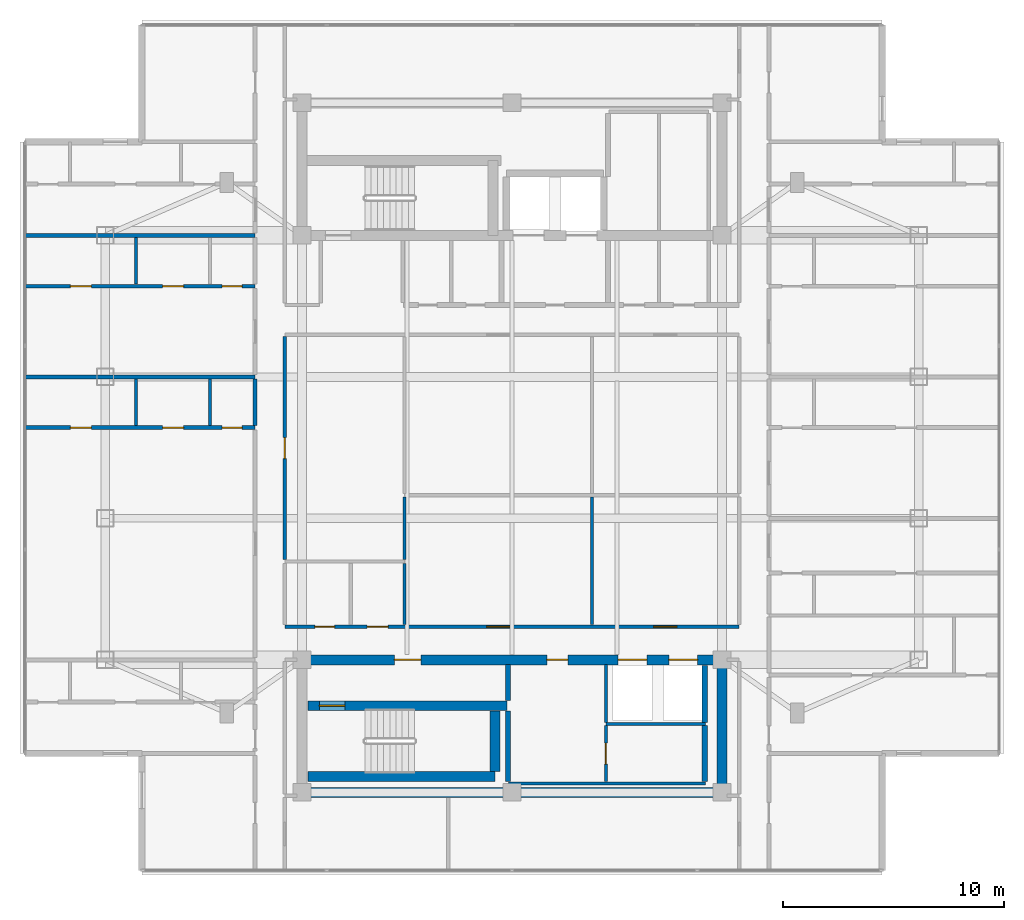
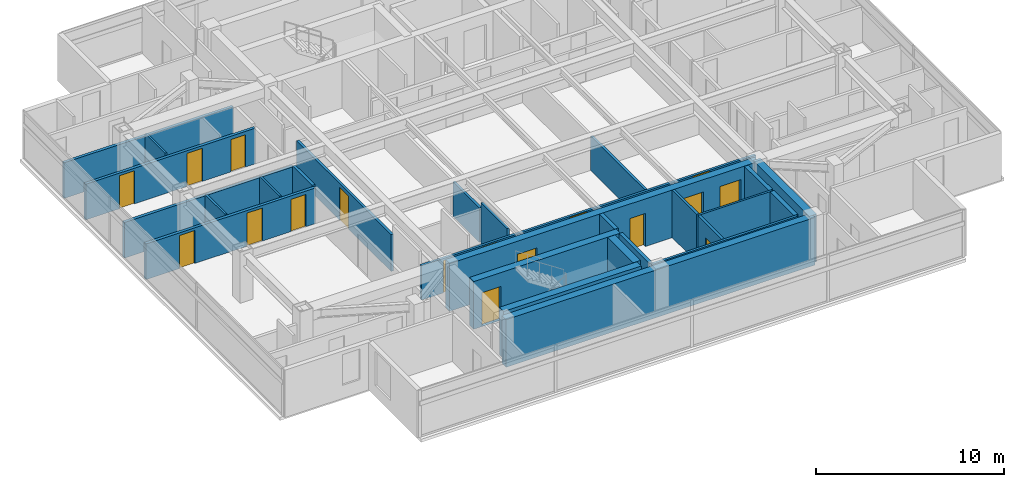
# One storey, part 8 of 14: 27 walls, 17 doors, 17 openings.
"""IFC4 building model written with IfcOpenShell, lengths in metres."""

from ifc_helpers import new_model, si_unit, direction, frame, frame_2d, origin, place, context, subcontext, project, spatial, rectangle, extrude, material, layer, layer_set, type_object, element, fill, save


model = new_model("IFC4")

# Units and contexts
model_context = context("Model", 3, precision=1e-05, world=origin(), true_north=direction((0.0, 1.0)))
body_context = subcontext(model_context, "Body", "Model", "MODEL_VIEW")
ifc_project = project(units=[si_unit("LENGTHUNIT", "METRE"), si_unit("AREAUNIT", "SQUARE_METRE"), si_unit("VOLUMEUNIT", "CUBIC_METRE"), si_unit("PLANEANGLEUNIT", "RADIAN"), si_unit("MASSUNIT", "GRAM", prefix="KILO")], contexts=[model_context])

# Site, building, storey
site_placement = place(None, origin())
site = spatial("IfcSite", under=ifc_project, at=site_placement, CompositionType="ELEMENT")
building_placement = place(site_placement, origin())
building = spatial("IfcBuilding", under=site, at=building_placement, Name="Mirazonda Arch Towers", CompositionType="ELEMENT")
storey_placement = place(building_placement, frame((0.0, 0.0, 242.5)))
storey = spatial("IfcBuildingStorey", under=building, at=storey_placement, Name="L69", CompositionType="ELEMENT", Elevation=242.5)

# Walls
ifc_material_1 = material(Name="Concrete C50/60", Category="concrete")
ifc_layer_1 = layer(ifc_material_1, 0.449951171875, Name="WALL-CORE-450")
ifc_layer_set_1 = layer_set([ifc_layer_1], Name="Concrete C50/60")
wall_type_1 = type_object("IfcWallType", Name="WALL-CORE-450", PredefinedType="SHEAR", material=ifc_layer_set_1)
wall_1_placement = place(storey_placement, frame((11.0, 12.39990234375, 0.0), z_axis=(0.0, 0.0, 1.0), x_axis=(1.0, 0.0, 0.0)))
element("IfcWall", 1, at=wall_1_placement, inside=storey, type_object=wall_type_1, Name="L69 T1S-S Core Shear Wall", PredefinedType="SHEAR", context=body_context, shape_type="SweptSolid", body=[
    extrude(rectangle(XDim=19.0, YDim=0.449951171875, at=frame_2d((9.5, 0.0))), origin(), (0.0, 0.0, 1.0), 3.10009765625),
])
wall_2_placement = place(storey_placement, frame((30.0, 12.39990234375, 0.0), z_axis=(0.0, 0.0, 1.0), x_axis=(0.0, 1.0, 0.0)))
element("IfcWall", 2, at=wall_2_placement, inside=storey, type_object=wall_type_1, Name="L69 T1S-E Core Shear Wall", PredefinedType="SHEAR", context=body_context, shape_type="SweptSolid", body=[
    extrude(rectangle(XDim=6.0, YDim=0.449951171875, at=frame_2d((3.0, 0.0))), origin(), (0.0, 0.0, 1.0), 3.10009765625),
])

# Wall, openings, doors
wall_3_placement = place(storey_placement, frame((11.0, 18.39990234375, 0.0), z_axis=(0.0, 0.0, 1.0), x_axis=(1.0, 0.0, 0.0)))
wall_3 = element("IfcWall", 3, at=wall_3_placement, inside=storey, type_object=wall_type_1, Name="L69 T1S-N Core Shear Wall", PredefinedType="SHEAR", context=body_context, shape_type="SweptSolid", body=[
    extrude(rectangle(XDim=19.0, YDim=0.449951171875, at=frame_2d((9.5, 0.0))), origin(), (0.0, 0.0, 1.0), 3.10009765625),
])
opening_1_placement = place(wall_3_placement, frame((4.175048828125, 0.0, 0.0)))
opening_1 = element("IfcOpeningElement", 4, at=opening_1_placement, cuts=wall_3, Name="Opening DR-117", PredefinedType="OPENING", context=body_context, shape_type="SweptSolid", body=[
    extrude(rectangle(XDim=1.199951171875, YDim=2.25, at=frame_2d((0.60009765625, 1.125))), frame((0.0, 0.23486328125, 0.0), z_axis=(0.0, -1.0, 0.0), x_axis=(1.0, 0.0, 0.0)), (0.0, 0.0, 1.0), 0.469970703125),
])
opening_2_placement = place(wall_3_placement, frame((11.074951171875, 0.0, 0.0)))
opening_2 = element("IfcOpeningElement", 5, at=opening_2_placement, cuts=wall_3, Name="Opening DR-104", PredefinedType="OPENING", context=body_context, shape_type="SweptSolid", body=[
    extrude(rectangle(XDim=0.949951171875, YDim=2.14990234375, at=frame_2d((0.47509765625, 1.074951171875))), frame((0.0, 0.23486328125, 0.0), z_axis=(0.0, -1.0, 0.0), x_axis=(1.0, 0.0, 0.0)), (0.0, 0.0, 1.0), 0.469970703125),
])
opening_3_placement = place(wall_3_placement, frame((14.300048828125, 0.0, 0.0)))
opening_3 = element("IfcOpeningElement", 6, at=opening_3_placement, cuts=wall_3, Name="Opening LD-111", PredefinedType="OPENING", context=body_context, shape_type="SweptSolid", body=[
    extrude(rectangle(XDim=1.300048828125, YDim=2.300048828125, at=frame_2d((0.64990234375, 1.14990234375))), frame((0.0, 0.23486328125, 0.0), z_axis=(0.0, -1.0, 0.0), x_axis=(1.0, 0.0, 0.0)), (0.0, 0.0, 1.0), 0.469970703125),
])
opening_4_placement = place(wall_3_placement, frame((16.60009765625, 0.0, 0.0)))
opening_4 = element("IfcOpeningElement", 7, at=opening_4_placement, cuts=wall_3, Name="Opening LD-111", PredefinedType="OPENING", context=body_context, shape_type="SweptSolid", body=[
    extrude(rectangle(XDim=1.300048828125, YDim=2.300048828125, at=frame_2d((0.64990234375, 1.14990234375))), frame((0.0, 0.23486328125, 0.0), z_axis=(0.0, -1.0, 0.0), x_axis=(1.0, 0.0, 0.0)), (0.0, 0.0, 1.0), 0.469970703125),
])
ifc_material_2 = material(Name="Architectural Brushed Steel S355", Category="steel")
door_type_1 = type_object("IfcDoorType", Name="DOOR-FFL-FD90-1200", OperationType="NOTDEFINED", PredefinedType="DOOR", material=ifc_material_2)
door_1_placement = place(opening_1_placement, origin())
door_1 = element("IfcDoor", 8, at=door_1_placement, inside=storey, type_object=door_type_1, Name="L69 South Core Stair & Lift Lobby Door", OperationType="SINGLE_SWING_LEFT", OverallHeight=2.25, OverallWidth=1.199951171875, PredefinedType="DOOR", context=body_context, shape_type="SweptSolid", body=[
    extrude(rectangle(XDim=1.199951171875, YDim=2.25, at=frame_2d((0.60009765625, 1.125))), frame((0.0, 0.02490234375, 0.0), z_axis=(0.0, -1.0, 0.0), x_axis=(1.0, 0.0, 0.0)), (0.0, 0.0, 1.0), 0.050048828125),
])
fill(opening_1, door_1)
door_type_2 = type_object("IfcDoorType", Name="DOOR-LIFT-LAND-1300", OperationType="NOTDEFINED", PredefinedType="DOOR", material=ifc_material_2)
door_2_placement = place(opening_3_placement, origin())
door_2 = element("IfcDoor", 9, at=door_2_placement, inside=storey, type_object=door_type_2, Name="L69 Lift Landing Sliding Door PL-T1H1", OperationType="DOUBLE_DOOR_SLIDING", OverallHeight=2.300048828125, OverallWidth=1.300048828125, PredefinedType="DOOR", context=body_context, shape_type="SweptSolid", body=[
    extrude(rectangle(XDim=1.300048828125, YDim=2.300048828125, at=frame_2d((0.64990234375, 1.14990234375))), frame((0.0, 0.02490234375, 0.0), z_axis=(0.0, -1.0, 0.0), x_axis=(1.0, 0.0, 0.0)), (0.0, 0.0, 1.0), 0.050048828125),
])
fill(opening_3, door_2)
door_3_placement = place(opening_4_placement, origin())
door_3 = element("IfcDoor", 10, at=door_3_placement, inside=storey, type_object=door_type_2, Name="L69 Lift Landing Sliding Door PL-T1H2", OperationType="DOUBLE_DOOR_SLIDING", OverallHeight=2.300048828125, OverallWidth=1.300048828125, PredefinedType="DOOR", context=body_context, shape_type="SweptSolid", body=[
    extrude(rectangle(XDim=1.300048828125, YDim=2.300048828125, at=frame_2d((0.64990234375, 1.14990234375))), frame((0.0, 0.02490234375, 0.0), z_axis=(0.0, -1.0, 0.0), x_axis=(1.0, 0.0, 0.0)), (0.0, 0.0, 1.0), 0.050048828125),
])
fill(opening_4, door_3)
door_type_3 = type_object("IfcDoorType", Name="DOOR-ROOM-950", OperationType="NOTDEFINED", PredefinedType="DOOR", material=ifc_material_2)
door_4_placement = place(opening_2_placement, origin())
door_4 = element("IfcDoor", 11, at=door_4_placement, inside=storey, type_object=door_type_3, Name="L69 Residents Wine Tasting Lounge Door", OperationType="SINGLE_SWING_LEFT", OverallHeight=2.14990234375, OverallWidth=0.949951171875, PredefinedType="DOOR", context=body_context, shape_type="SweptSolid", body=[
    extrude(rectangle(XDim=0.949951171875, YDim=2.14990234375, at=frame_2d((0.47509765625, 1.074951171875))), frame((0.0, 0.02490234375, 0.0), z_axis=(0.0, -1.0, 0.0), x_axis=(1.0, 0.0, 0.0)), (0.0, 0.0, 1.0), 0.050048828125),
])
fill(opening_2, door_4)

# Wall
wall_4_placement = place(storey_placement, frame((11.27001953125, 13.1201171875, 0.0), z_axis=(0.0, 0.0, 1.0), x_axis=(1.0, 0.0, 0.0)))
element("IfcWall", 12, at=wall_4_placement, inside=storey, type_object=wall_type_1, Name="L69 Stair Core Shear Wall 004", PredefinedType="SHEAR", context=body_context, shape_type="SweptSolid", body=[
    extrude(rectangle(XDim=8.4599609375, YDim=0.449951171875, at=frame_2d((4.22998046875, 0.0))), origin(), (0.0, 0.0, 1.0), 3.10009765625),
])

# Wall, opening, door
wall_5_placement = place(storey_placement, frame((11.27001953125, 16.320068359375, 0.0), z_axis=(0.0, 0.0, 1.0), x_axis=(1.0, 0.0, 0.0)))
wall_5 = element("IfcWall", 13, at=wall_5_placement, inside=storey, type_object=wall_type_1, Name="L69 Stair Core Shear Wall 008", PredefinedType="SHEAR", context=body_context, shape_type="SweptSolid", body=[
    extrude(rectangle(XDim=9.010009765625, YDim=0.449951171875, at=frame_2d((4.5048828125, 0.0))), origin(), (0.0, 0.0, 1.0), 3.10009765625),
])
opening_5_placement = place(wall_5_placement, frame((0.52001953125, 0.0, 0.0)))
opening_5 = element("IfcOpeningElement", 14, at=opening_5_placement, cuts=wall_5, Name="Opening DR-135", PredefinedType="OPENING", context=body_context, shape_type="SweptSolid", body=[
    extrude(rectangle(XDim=1.14990234375, YDim=2.199951171875, at=frame_2d((0.574951171875, 1.10009765625))), frame((0.0, 0.23486328125, 0.0), z_axis=(0.0, -1.0, 0.0), x_axis=(1.0, 0.0, 0.0)), (0.0, 0.0, 1.0), 0.469970703125),
])
door_type_4 = type_object("IfcDoorType", Name="DOOR-STAIR-FD90-1150", OperationType="NOTDEFINED", PredefinedType="DOOR", material=ifc_material_2)
door_5_placement = place(opening_5_placement, origin())
door_5 = element("IfcDoor", 15, at=door_5_placement, inside=storey, type_object=door_type_4, Name="L69 Protected Exit Stair South Door", OperationType="SINGLE_SWING_RIGHT", OverallHeight=2.199951171875, OverallWidth=1.14990234375, PredefinedType="DOOR", context=body_context, shape_type="SweptSolid", body=[
    extrude(rectangle(XDim=1.14990234375, YDim=2.199951171875, at=frame_2d((0.574951171875, 1.10009765625))), frame((0.0, 0.02490234375, 0.0), z_axis=(0.0, -1.0, 0.0), x_axis=(1.0, 0.0, 0.0)), (0.0, 0.0, 1.0), 0.050048828125),
])
fill(opening_5, door_5)

# Walls
wall_6_placement = place(storey_placement, frame((19.72998046875, 13.35498046875, 0.0), z_axis=(0.0, 0.0, 1.0), x_axis=(0.0, 1.0, 0.0)))
element("IfcWall", 16, at=wall_6_placement, inside=storey, type_object=wall_type_1, Name="L69 Stair Core Shear Wall 071", PredefinedType="SHEAR", context=body_context, shape_type="SweptSolid", body=[
    extrude(rectangle(XDim=2.72998046875, YDim=0.449951171875, at=frame_2d((1.364990234375, 0.0))), origin(), (0.0, 0.0, 1.0), 3.10009765625),
])
ifc_material_3 = material(Name="Concrete C40/50", Category="concrete")
ifc_layer_2 = layer(ifc_material_3, 0.219970703125, Name="WALL-FFL-220")
ifc_layer_set_2 = layer_set([ifc_layer_2], Name="Concrete C40/50")
wall_type_2 = type_object("IfcWallType", Name="WALL-FFL-220", PredefinedType="SOLIDWALL", material=ifc_layer_set_2)
wall_7_placement = place(storey_placement, frame((20.31494140625, 12.885009765625, 0.0), z_axis=(0.0, 0.0, 1.0), x_axis=(0.0, 1.0, 0.0)))
element("IfcWall", 17, at=wall_7_placement, inside=storey, type_object=wall_type_2, Name="L69 Interior Partition 073", PredefinedType="SOLIDWALL", context=body_context, shape_type="SweptSolid", body=[
    extrude(rectangle(XDim=3.199951171875, YDim=0.219970703125, at=frame_2d((1.60009765625, 0.0))), origin(), (0.0, 0.0, 1.0), 3.10009765625),
])
wall_8_placement = place(storey_placement, frame((20.31494140625, 16.554931640625, 0.0), z_axis=(0.0, 0.0, 1.0), x_axis=(0.0, 1.0, 0.0)))
element("IfcWall", 18, at=wall_8_placement, inside=storey, type_object=wall_type_2, Name="L69 Interior Partition 074", PredefinedType="SOLIDWALL", context=body_context, shape_type="SweptSolid", body=[
    extrude(rectangle(XDim=1.625, YDim=0.219970703125, at=frame_2d((0.8125, 0.0))), origin(), (0.0, 0.0, 1.0), 3.10009765625),
])
ifc_material_4 = material(Name="Fire-Rated Gypsum Stud Partition")
ifc_layer_3 = layer(ifc_material_4, 0.14990234375, Name="WALL-PART-CORR-150")
ifc_layer_set_3 = layer_set([ifc_layer_3], Name="Fire-Rated Gypsum Stud Partition")
wall_type_3 = type_object("IfcWallType", Name="WALL-PART-CORR-150", PredefinedType="PARTITIONING", material=ifc_layer_set_3)
wall_9_placement = place(storey_placement, frame((20.35009765625, 12.800048828125, 0.0), z_axis=(0.0, 0.0, 1.0), x_axis=(1.0, 0.0, 0.0)))
element("IfcWall", 19, at=wall_9_placement, inside=storey, type_object=wall_type_3, Name="L69 Interior Partition 003", PredefinedType="PARTITIONING", context=body_context, shape_type="SweptSolid", body=[
    extrude(rectangle(XDim=8.89990234375, YDim=0.14990234375, at=frame_2d((4.449951171875, 0.0))), origin(), (0.0, 0.0, 1.0), 3.10009765625),
])

# Wall, openings, doors
wall_10_placement = place(storey_placement, frame((10.219970703125, 19.89990234375, 0.0), z_axis=(0.0, 0.0, 1.0), x_axis=(1.0, 0.0, 0.0)))
wall_10 = element("IfcWall", 20, at=wall_10_placement, inside=storey, type_object=wall_type_3, Name="L69 Interior Partition 014", PredefinedType="PARTITIONING", context=body_context, shape_type="SweptSolid", body=[
    extrude(rectangle(XDim=20.56005859375, YDim=0.14990234375, at=frame_2d((10.280029296875, 0.0))), origin(), (0.0, 0.0, 1.0), 2.236083984375),
])
opening_6_placement = place(wall_10_placement, frame((1.360107421875, 0.0, 0.0)))
opening_6 = element("IfcOpeningElement", 21, at=opening_6_placement, cuts=wall_10, Name="Opening DR-120", PredefinedType="OPENING", context=body_context, shape_type="SweptSolid", body=[
    extrude(rectangle(XDim=0.89990234375, YDim=2.10009765625, at=frame_2d((0.449951171875, 1.050048828125))), frame((0.0, 0.0849609375, 0.0), z_axis=(0.0, -1.0, 0.0), x_axis=(1.0, 0.0, 0.0)), (0.0, 0.0, 1.0), 0.169921875),
])
opening_7_placement = place(wall_10_placement, frame((3.72509765625, 0.0, 0.0)))
opening_7 = element("IfcOpeningElement", 22, at=opening_7_placement, cuts=wall_10, Name="Opening DR-104", PredefinedType="OPENING", context=body_context, shape_type="SweptSolid", body=[
    extrude(rectangle(XDim=0.949951171875, YDim=2.14990234375, at=frame_2d((0.47509765625, 1.074951171875))), frame((0.0, 0.0849609375, 0.0), z_axis=(0.0, -1.0, 0.0), x_axis=(1.0, 0.0, 0.0)), (0.0, 0.0, 1.0), 0.169921875),
])
opening_8_placement = place(wall_10_placement, frame((9.134033203125, 0.0, 0.0)))
opening_8 = element("IfcOpeningElement", 23, at=opening_8_placement, cuts=wall_10, Name="Opening DR-121", PredefinedType="OPENING", context=body_context, shape_type="SweptSolid", body=[
    extrude(rectangle(XDim=1.050048828125, YDim=2.199951171875, at=frame_2d((0.52490234375, 1.10009765625))), frame((0.0, 0.0849609375, 0.0), z_axis=(0.0, -1.0, 0.0), x_axis=(1.0, 0.0, 0.0)), (0.0, 0.0, 1.0), 0.169921875),
])
opening_9_placement = place(wall_10_placement, frame((16.68408203125, 0.0, 0.0)))
opening_9 = element("IfcOpeningElement", 24, at=opening_9_placement, cuts=wall_10, Name="Opening DR-121", PredefinedType="OPENING", context=body_context, shape_type="SweptSolid", body=[
    extrude(rectangle(XDim=1.050048828125, YDim=2.199951171875, at=frame_2d((0.52490234375, 1.10009765625))), frame((0.0, 0.0849609375, 0.0), z_axis=(0.0, -1.0, 0.0), x_axis=(1.0, 0.0, 0.0)), (0.0, 0.0, 1.0), 0.169921875),
])
door_6_placement = place(opening_7_placement, origin())
door_6 = element("IfcDoor", 25, at=door_6_placement, inside=storey, type_object=door_type_3, Name="L69 L69 West Courtyard Study Door", OperationType="SINGLE_SWING_LEFT", OverallHeight=2.14990234375, OverallWidth=0.949951171875, PredefinedType="DOOR", context=body_context, shape_type="SweptSolid", body=[
    extrude(rectangle(XDim=0.949951171875, YDim=2.14990234375, at=frame_2d((0.47509765625, 1.074951171875))), frame((0.0, 0.02490234375, 0.0), z_axis=(0.0, -1.0, 0.0), x_axis=(1.0, 0.0, 0.0)), (0.0, 0.0, 1.0), 0.050048828125),
])
fill(opening_7, door_6)
door_type_5 = type_object("IfcDoorType", Name="DOOR-SUITE-FD60-1050", OperationType="NOTDEFINED", PredefinedType="DOOR", material=ifc_material_2)
door_7_placement = place(opening_8_placement, origin())
door_7 = element("IfcDoor", 26, at=door_7_placement, inside=storey, type_object=door_type_5, Name="L69 Residents Private Library Door", OperationType="SINGLE_SWING_LEFT", OverallHeight=2.199951171875, OverallWidth=1.050048828125, PredefinedType="DOOR", context=body_context, shape_type="SweptSolid", body=[
    extrude(rectangle(XDim=1.050048828125, YDim=2.199951171875, at=frame_2d((0.52490234375, 1.10009765625))), frame((0.0, 0.02490234375, 0.0), z_axis=(0.0, -1.0, 0.0), x_axis=(1.0, 0.0, 0.0)), (0.0, 0.0, 1.0), 0.050048828125),
])
fill(opening_8, door_7)
door_8_placement = place(opening_9_placement, origin())
door_8 = element("IfcDoor", 27, at=door_8_placement, inside=storey, type_object=door_type_5, Name="L69 Chamber Music & Screening Salon Door", OperationType="SINGLE_SWING_RIGHT", OverallHeight=2.199951171875, OverallWidth=1.050048828125, PredefinedType="DOOR", context=body_context, shape_type="SweptSolid", body=[
    extrude(rectangle(XDim=1.050048828125, YDim=2.199951171875, at=frame_2d((0.52490234375, 1.10009765625))), frame((0.0, 0.02490234375, 0.0), z_axis=(0.0, -1.0, 0.0), x_axis=(1.0, 0.0, 0.0)), (0.0, 0.0, 1.0), 0.050048828125),
])
fill(opening_9, door_8)
door_type_6 = type_object("IfcDoorType", Name="DOOR-WC-900", OperationType="NOTDEFINED", PredefinedType="DOOR", material=ifc_material_2)
door_9_placement = place(opening_6_placement, origin())
door_9 = element("IfcDoor", 28, at=door_9_placement, inside=storey, type_object=door_type_6, Name="L69 Common Accessible WC Door", OperationType="SINGLE_SWING_LEFT", OverallHeight=2.10009765625, OverallWidth=0.89990234375, PredefinedType="DOOR", context=body_context, shape_type="SweptSolid", body=[
    extrude(rectangle(XDim=0.89990234375, YDim=2.10009765625, at=frame_2d((0.449951171875, 1.050048828125))), frame((0.0, 0.02490234375, 0.0), z_axis=(0.0, -1.0, 0.0), x_axis=(1.0, 0.0, 0.0)), (0.0, 0.0, 1.0), 0.050048828125),
])
fill(opening_6, door_9)

# Wall, opening, door
wall_11_placement = place(storey_placement, frame((10.219970703125, 22.93505859375, 0.0), z_axis=(0.0, 0.0, 1.0), x_axis=(0.0, 1.0, 0.0)))
wall_11 = element("IfcWall", 29, at=wall_11_placement, inside=storey, type_object=wall_type_3, Name="L69 Interior Partition 060", PredefinedType="PARTITIONING", context=body_context, shape_type="SweptSolid", body=[
    extrude(rectangle(XDim=10.079833984375, YDim=0.14990234375, at=frame_2d((5.0400390625, 0.0))), origin(), (0.0, 0.0, 1.0), 2.39599609375),
])
opening_10_placement = place(wall_11_placement, frame((4.56494140625, 0.0, 0.0)))
opening_10 = element("IfcOpeningElement", 30, at=opening_10_placement, cuts=wall_11, Name="Opening DR-104", PredefinedType="OPENING", context=body_context, shape_type="SweptSolid", body=[
    extrude(rectangle(XDim=0.949951171875, YDim=2.14990234375, at=frame_2d((0.47509765625, 1.074951171875))), frame((0.0, 0.0849609375, 0.0), z_axis=(0.0, -1.0, 0.0), x_axis=(1.0, 0.0, 0.0)), (0.0, 0.0, 1.0), 0.169921875),
])
door_10_placement = place(opening_10_placement, origin())
door_10 = element("IfcDoor", 31, at=door_10_placement, inside=storey, type_object=door_type_3, Name="L69 L69 West Courtyard Salon Door", OperationType="SINGLE_SWING_RIGHT", OverallHeight=2.14990234375, OverallWidth=0.949951171875, PredefinedType="DOOR", context=body_context, shape_type="SweptSolid", body=[
    extrude(rectangle(XDim=0.949951171875, YDim=2.14990234375, at=frame_2d((0.47509765625, 1.074951171875))), frame((0.0, 0.02490234375, 0.0), z_axis=(0.0, -1.0, 0.0), x_axis=(1.0, 0.0, 0.0)), (0.0, 0.0, 1.0), 0.050048828125),
])
fill(opening_10, door_10)

# Walls
wall_12_placement = place(storey_placement, frame((15.639892578125, 19.985107421875, 0.0), z_axis=(0.0, 0.0, 1.0), x_axis=(0.0, 1.0, 0.0)))
element("IfcWall", 32, at=wall_12_placement, inside=storey, type_object=wall_type_3, Name="L69 Interior Partition 065", PredefinedType="PARTITIONING", context=body_context, shape_type="SweptSolid", body=[
    extrude(rectangle(XDim=2.77978515625, YDim=0.14990234375, at=frame_2d((1.389892578125, 0.0))), origin(), (0.0, 0.0, 1.0), 2.675048828125),
])
wall_13_placement = place(storey_placement, frame((15.639892578125, 22.93505859375, 0.0), z_axis=(0.0, 0.0, 1.0), x_axis=(0.0, 1.0, 0.0)))
element("IfcWall", 33, at=wall_13_placement, inside=storey, type_object=wall_type_3, Name="L69 Interior Partition 066", PredefinedType="PARTITIONING", context=body_context, shape_type="SweptSolid", body=[
    extrude(rectangle(XDim=2.81982421875, YDim=0.14990234375, at=frame_2d((1.409912109375, 0.0))), origin(), (0.0, 0.0, 1.0), 2.236083984375),
])
wall_14_placement = place(storey_placement, frame((24.117919921875, 19.985107421875, 0.0), z_axis=(0.0, 0.0, 1.0), x_axis=(0.0, 1.0, 0.0)))
element("IfcWall", 34, at=wall_14_placement, inside=storey, type_object=wall_type_3, Name="L69 Interior Partition 076", PredefinedType="PARTITIONING", context=body_context, shape_type="SweptSolid", body=[
    extrude(rectangle(XDim=5.769775390625, YDim=0.14990234375, at=frame_2d((2.884765625, 0.0))), origin(), (0.0, 0.0, 1.0), 2.236083984375),
])

# Wall, opening, door
wall_15_placement = place(storey_placement, frame((24.75, 12.885009765625, 0.0), z_axis=(0.0, 0.0, 1.0), x_axis=(0.0, 1.0, 0.0)))
wall_15 = element("IfcWall", 35, at=wall_15_placement, inside=storey, type_object=wall_type_3, Name="L69 Interior Partition 078", PredefinedType="PARTITIONING", context=body_context, shape_type="SweptSolid", body=[
    extrude(rectangle(XDim=2.54248046875, YDim=0.14990234375, at=frame_2d((1.271240234375, 0.0))), origin(), (0.0, 0.0, 1.0), 3.10009765625),
])
opening_11_placement = place(wall_15_placement, frame((0.79638671875, 0.0, 0.0)))
opening_11 = element("IfcOpeningElement", 36, at=opening_11_placement, cuts=wall_15, Name="Opening DR-104", PredefinedType="OPENING", context=body_context, shape_type="SweptSolid", body=[
    extrude(rectangle(XDim=0.949951171875, YDim=2.14990234375, at=frame_2d((0.47509765625, 1.074951171875))), frame((0.0, 0.0849609375, 0.0), z_axis=(0.0, -1.0, 0.0), x_axis=(1.0, 0.0, 0.0)), (0.0, 0.0, 1.0), 0.169921875),
])
door_11_placement = place(opening_11_placement, origin())
door_11 = element("IfcDoor", 37, at=door_11_placement, inside=storey, type_object=door_type_3, Name="L69 Residents Private Archive Study Door", OperationType="SINGLE_SWING_RIGHT", OverallHeight=2.14990234375, OverallWidth=0.949951171875, PredefinedType="DOOR", context=body_context, shape_type="SweptSolid", body=[
    extrude(rectangle(XDim=0.949951171875, YDim=2.14990234375, at=frame_2d((0.47509765625, 1.074951171875))), frame((0.0, 0.02490234375, 0.0), z_axis=(0.0, -1.0, 0.0), x_axis=(1.0, 0.0, 0.0)), (0.0, 0.0, 1.0), 0.050048828125),
])
fill(opening_11, door_11)

# Wall
wall_16_placement = place(storey_placement, frame((24.75, 15.572509765625, 0.0), z_axis=(0.0, 0.0, 1.0), x_axis=(0.0, 1.0, 0.0)))
element("IfcWall", 38, at=wall_16_placement, inside=storey, type_object=wall_type_3, Name="L69 Interior Partition 079", PredefinedType="PARTITIONING", context=body_context, shape_type="SweptSolid", body=[
    extrude(rectangle(XDim=2.607421875, YDim=0.14990234375, at=frame_2d((1.3037109375, 0.0))), origin(), (0.0, 0.0, 1.0), 3.10009765625),
])

# Wall, openings, doors
ifc_material_5 = material(Name="Fire-Rated Gypsum Twin-Stud Assembly")
ifc_layer_4 = layer(ifc_material_5, 0.179931640625, Name="WALL-PART-DEMISE-180")
ifc_layer_set_4 = layer_set([ifc_layer_4], Name="Fire-Rated Gypsum Twin-Stud Assembly")
wall_type_4 = type_object("IfcWallType", Name="WALL-PART-DEMISE-180", PredefinedType="PARTITIONING", material=ifc_layer_set_4)
wall_17_placement = place(storey_placement, frame((-1.5400390625, 28.89990234375, 0.0), z_axis=(0.0, 0.0, 1.0), x_axis=(1.0, 0.0, 0.0)))
wall_17 = element("IfcWall", 39, at=wall_17_placement, inside=storey, type_object=wall_type_4, Name="L69 Interior Partition 020", PredefinedType="PARTITIONING", context=body_context, shape_type="SweptSolid", body=[
    extrude(rectangle(XDim=10.419921875, YDim=0.179931640625, at=frame_2d((5.2099609375, 0.0))), origin(), (0.0, 0.0, 1.0), 2.319091796875),
])
opening_12_placement = place(wall_17_placement, frame((2.05908203125, 0.0, 0.0)))
opening_12 = element("IfcOpeningElement", 40, at=opening_12_placement, cuts=wall_17, Name="Opening DR-104", PredefinedType="OPENING", context=body_context, shape_type="SweptSolid", body=[
    extrude(rectangle(XDim=0.949951171875, YDim=2.14990234375, at=frame_2d((0.47509765625, 1.074951171875))), frame((0.0, 0.099853515625, 0.0), z_axis=(0.0, -1.0, 0.0), x_axis=(1.0, 0.0, 0.0)), (0.0, 0.0, 1.0), 0.199951171875),
])
opening_13_placement = place(wall_17_placement, frame((6.22900390625, 0.0, 0.0)))
opening_13 = element("IfcOpeningElement", 41, at=opening_13_placement, cuts=wall_17, Name="Opening DR-104", PredefinedType="OPENING", context=body_context, shape_type="SweptSolid", body=[
    extrude(rectangle(XDim=0.949951171875, YDim=2.14990234375, at=frame_2d((0.47509765625, 1.074951171875))), frame((0.0, 0.099853515625, 0.0), z_axis=(0.0, -1.0, 0.0), x_axis=(1.0, 0.0, 0.0)), (0.0, 0.0, 1.0), 0.199951171875),
])
opening_14_placement = place(wall_17_placement, frame((8.929931640625, 0.0, 0.0)))
opening_14 = element("IfcOpeningElement", 42, at=opening_14_placement, cuts=wall_17, Name="Opening DR-120", PredefinedType="OPENING", context=body_context, shape_type="SweptSolid", body=[
    extrude(rectangle(XDim=0.89990234375, YDim=2.10009765625, at=frame_2d((0.449951171875, 1.050048828125))), frame((0.0, 0.099853515625, 0.0), z_axis=(0.0, -1.0, 0.0), x_axis=(1.0, 0.0, 0.0)), (0.0, 0.0, 1.0), 0.199951171875),
])
door_12_placement = place(opening_12_placement, origin())
door_12 = element("IfcDoor", 43, at=door_12_placement, inside=storey, type_object=door_type_3, Name="L69 Residence 2 Principal Bedroom Door", OperationType="SINGLE_SWING_LEFT", OverallHeight=2.14990234375, OverallWidth=0.949951171875, PredefinedType="DOOR", context=body_context, shape_type="SweptSolid", body=[
    extrude(rectangle(XDim=0.949951171875, YDim=2.14990234375, at=frame_2d((0.47509765625, 1.074951171875))), frame((0.0, 0.02490234375, 0.0), z_axis=(0.0, -1.0, 0.0), x_axis=(1.0, 0.0, 0.0)), (0.0, 0.0, 1.0), 0.050048828125),
])
fill(opening_12, door_12)
door_13_placement = place(opening_13_placement, origin())
door_13 = element("IfcDoor", 44, at=door_13_placement, inside=storey, type_object=door_type_3, Name="L69 Residence 2 Fitted Kitchen Door", OperationType="SINGLE_SWING_RIGHT", OverallHeight=2.14990234375, OverallWidth=0.949951171875, PredefinedType="DOOR", context=body_context, shape_type="SweptSolid", body=[
    extrude(rectangle(XDim=0.949951171875, YDim=2.14990234375, at=frame_2d((0.47509765625, 1.074951171875))), frame((0.0, 0.02490234375, 0.0), z_axis=(0.0, -1.0, 0.0), x_axis=(1.0, 0.0, 0.0)), (0.0, 0.0, 1.0), 0.050048828125),
])
fill(opening_13, door_13)
door_14_placement = place(opening_14_placement, origin())
door_14 = element("IfcDoor", 45, at=door_14_placement, inside=storey, type_object=door_type_6, Name="L69 Residence 2 Bathroom Door", OperationType="SINGLE_SWING_LEFT", OverallHeight=2.10009765625, OverallWidth=0.89990234375, PredefinedType="DOOR", context=body_context, shape_type="SweptSolid", body=[
    extrude(rectangle(XDim=0.89990234375, YDim=2.10009765625, at=frame_2d((0.449951171875, 1.050048828125))), frame((0.0, 0.02490234375, 0.0), z_axis=(0.0, -1.0, 0.0), x_axis=(1.0, 0.0, 0.0)), (0.0, 0.0, 1.0), 0.050048828125),
])
fill(opening_14, door_14)

# Wall
wall_18_placement = place(storey_placement, frame((-1.5400390625, 31.199951171875, 0.0), z_axis=(0.0, 0.0, 1.0), x_axis=(1.0, 0.0, 0.0)))
element("IfcWall", 46, at=wall_18_placement, inside=storey, type_object=wall_type_4, Name="L69 Interior Partition 022", PredefinedType="PARTITIONING", context=body_context, shape_type="SweptSolid", body=[
    extrude(rectangle(XDim=10.419921875, YDim=0.179931640625, at=frame_2d((5.2099609375, 0.0))), origin(), (0.0, 0.0, 1.0), 2.319091796875),
])

# Wall, openings, doors
wall_19_placement = place(storey_placement, frame((-1.5400390625, 35.300048828125, 0.0), z_axis=(0.0, 0.0, 1.0), x_axis=(1.0, 0.0, 0.0)))
wall_19 = element("IfcWall", 47, at=wall_19_placement, inside=storey, type_object=wall_type_4, Name="L69 Interior Partition 027", PredefinedType="PARTITIONING", context=body_context, shape_type="SweptSolid", body=[
    extrude(rectangle(XDim=10.419921875, YDim=0.179931640625, at=frame_2d((5.2099609375, 0.0))), origin(), (0.0, 0.0, 1.0), 2.319091796875),
])
opening_15_placement = place(wall_19_placement, frame((2.05908203125, 0.0, 0.0)))
opening_15 = element("IfcOpeningElement", 48, at=opening_15_placement, cuts=wall_19, Name="Opening DR-104", PredefinedType="OPENING", context=body_context, shape_type="SweptSolid", body=[
    extrude(rectangle(XDim=0.949951171875, YDim=2.14990234375, at=frame_2d((0.47509765625, 1.074951171875))), frame((0.0, 0.099853515625, 0.0), z_axis=(0.0, -1.0, 0.0), x_axis=(1.0, 0.0, 0.0)), (0.0, 0.0, 1.0), 0.199951171875),
])
opening_16_placement = place(wall_19_placement, frame((6.22900390625, 0.0, 0.0)))
opening_16 = element("IfcOpeningElement", 49, at=opening_16_placement, cuts=wall_19, Name="Opening DR-104", PredefinedType="OPENING", context=body_context, shape_type="SweptSolid", body=[
    extrude(rectangle(XDim=0.949951171875, YDim=2.14990234375, at=frame_2d((0.47509765625, 1.074951171875))), frame((0.0, 0.099853515625, 0.0), z_axis=(0.0, -1.0, 0.0), x_axis=(1.0, 0.0, 0.0)), (0.0, 0.0, 1.0), 0.199951171875),
])
opening_17_placement = place(wall_19_placement, frame((8.929931640625, 0.0, 0.0)))
opening_17 = element("IfcOpeningElement", 50, at=opening_17_placement, cuts=wall_19, Name="Opening DR-120", PredefinedType="OPENING", context=body_context, shape_type="SweptSolid", body=[
    extrude(rectangle(XDim=0.89990234375, YDim=2.10009765625, at=frame_2d((0.449951171875, 1.050048828125))), frame((0.0, 0.099853515625, 0.0), z_axis=(0.0, -1.0, 0.0), x_axis=(1.0, 0.0, 0.0)), (0.0, 0.0, 1.0), 0.199951171875),
])
door_15_placement = place(opening_15_placement, origin())
door_15 = element("IfcDoor", 51, at=door_15_placement, inside=storey, type_object=door_type_3, Name="L69 Residence 3 Principal Bedroom Door", OperationType="SINGLE_SWING_LEFT", OverallHeight=2.14990234375, OverallWidth=0.949951171875, PredefinedType="DOOR", context=body_context, shape_type="SweptSolid", body=[
    extrude(rectangle(XDim=0.949951171875, YDim=2.14990234375, at=frame_2d((0.47509765625, 1.074951171875))), frame((0.0, 0.02490234375, 0.0), z_axis=(0.0, -1.0, 0.0), x_axis=(1.0, 0.0, 0.0)), (0.0, 0.0, 1.0), 0.050048828125),
])
fill(opening_15, door_15)
door_16_placement = place(opening_16_placement, origin())
door_16 = element("IfcDoor", 52, at=door_16_placement, inside=storey, type_object=door_type_3, Name="L69 Residence 3 Fitted Kitchen Door", OperationType="SINGLE_SWING_RIGHT", OverallHeight=2.14990234375, OverallWidth=0.949951171875, PredefinedType="DOOR", context=body_context, shape_type="SweptSolid", body=[
    extrude(rectangle(XDim=0.949951171875, YDim=2.14990234375, at=frame_2d((0.47509765625, 1.074951171875))), frame((0.0, 0.02490234375, 0.0), z_axis=(0.0, -1.0, 0.0), x_axis=(1.0, 0.0, 0.0)), (0.0, 0.0, 1.0), 0.050048828125),
])
fill(opening_16, door_16)
door_17_placement = place(opening_17_placement, origin())
door_17 = element("IfcDoor", 53, at=door_17_placement, inside=storey, type_object=door_type_6, Name="L69 Residence 3 Bathroom Door", OperationType="SINGLE_SWING_LEFT", OverallHeight=2.10009765625, OverallWidth=0.89990234375, PredefinedType="DOOR", context=body_context, shape_type="SweptSolid", body=[
    extrude(rectangle(XDim=0.89990234375, YDim=2.10009765625, at=frame_2d((0.449951171875, 1.050048828125))), frame((0.0, 0.02490234375, 0.0), z_axis=(0.0, -1.0, 0.0), x_axis=(1.0, 0.0, 0.0)), (0.0, 0.0, 1.0), 0.050048828125),
])
fill(opening_17, door_17)

# Walls
wall_20_placement = place(storey_placement, frame((-1.5400390625, 37.60009765625, 0.0), z_axis=(0.0, 0.0, 1.0), x_axis=(1.0, 0.0, 0.0)))
element("IfcWall", 54, at=wall_20_placement, inside=storey, type_object=wall_type_4, Name="L69 Interior Partition 029", PredefinedType="PARTITIONING", context=body_context, shape_type="SweptSolid", body=[
    extrude(rectangle(XDim=10.419921875, YDim=0.179931640625, at=frame_2d((5.2099609375, 0.0))), origin(), (0.0, 0.0, 1.0), 2.319091796875),
])
wall_21_placement = place(storey_placement, frame((8.8798828125, 29.0, 0.0), z_axis=(0.0, 0.0, 1.0), x_axis=(0.0, 1.0, 0.0)))
element("IfcWall", 55, at=wall_21_placement, inside=storey, type_object=wall_type_4, Name="L69 Interior Partition 051", PredefinedType="PARTITIONING", context=body_context, shape_type="SweptSolid", body=[
    extrude(rectangle(XDim=2.10009765625, YDim=0.179931640625, at=frame_2d((1.050048828125, 0.0))), origin(), (0.0, 0.0, 1.0), 2.39599609375),
])
ifc_material_6 = material(Name="Acoustic Fire-Rated Gypsum Partition")
ifc_layer_5 = layer(ifc_material_6, 0.125, Name="WALL-PART-UNIT-125")
ifc_layer_set_5 = layer_set([ifc_layer_5], Name="Acoustic Fire-Rated Gypsum Partition")
wall_type_5 = type_object("IfcWallType", Name="WALL-PART-UNIT-125", PredefinedType="PARTITIONING", material=ifc_layer_set_5)
wall_22_placement = place(storey_placement, frame((24.75, 15.5, 0.0), z_axis=(0.0, 0.0, 1.0), x_axis=(1.0, 0.0, 0.0)))
element("IfcWall", 56, at=wall_22_placement, inside=storey, type_object=wall_type_5, Name="L69 Interior Partition 007", PredefinedType="PARTITIONING", context=body_context, shape_type="SweptSolid", body=[
    extrude(rectangle(XDim=4.5, YDim=0.125, at=frame_2d((2.25, 0.0))), origin(), (0.0, 0.0, 1.0), 3.10009765625),
])
wall_23_placement = place(storey_placement, frame((3.488037109375, 29.0, 0.0), z_axis=(0.0, 0.0, 1.0), x_axis=(0.0, 1.0, 0.0)))
element("IfcWall", 57, at=wall_23_placement, inside=storey, type_object=wall_type_5, Name="L69 Interior Partition 041", PredefinedType="PARTITIONING", context=body_context, shape_type="SweptSolid", body=[
    extrude(rectangle(XDim=2.10009765625, YDim=0.125, at=frame_2d((1.050048828125, 0.0))), origin(), (0.0, 0.0, 1.0), 2.39599609375),
])
wall_24_placement = place(storey_placement, frame((3.488037109375, 35.39990234375, 0.0), z_axis=(0.0, 0.0, 1.0), x_axis=(0.0, 1.0, 0.0)))
element("IfcWall", 58, at=wall_24_placement, inside=storey, type_object=wall_type_5, Name="L69 Interior Partition 042", PredefinedType="PARTITIONING", context=body_context, shape_type="SweptSolid", body=[
    extrude(rectangle(XDim=2.10009765625, YDim=0.125, at=frame_2d((1.050048828125, 0.0))), origin(), (0.0, 0.0, 1.0), 2.491943359375),
])
wall_25_placement = place(storey_placement, frame((6.840087890625, 29.0, 0.0), z_axis=(0.0, 0.0, 1.0), x_axis=(0.0, 1.0, 0.0)))
element("IfcWall", 59, at=wall_25_placement, inside=storey, type_object=wall_type_5, Name="L69 Interior Partition 045", PredefinedType="PARTITIONING", context=body_context, shape_type="SweptSolid", body=[
    extrude(rectangle(XDim=2.10009765625, YDim=0.125, at=frame_2d((1.050048828125, 0.0))), origin(), (0.0, 0.0, 1.0), 2.39599609375),
])
ifc_layer_6 = layer(ifc_material_3, 0.25, Name="WALL-SHAFT-250")
ifc_layer_set_6 = layer_set([ifc_layer_6], Name="Concrete C40/50")
wall_type_6 = type_object("IfcWallType", Name="WALL-SHAFT-250", PredefinedType="SOLIDWALL", material=ifc_layer_set_6)
wall_26_placement = place(storey_placement, frame((29.22509765625, 12.885009765625, 0.0), z_axis=(0.0, 0.0, 1.0), x_axis=(0.0, 1.0, 0.0)))
element("IfcWall", 60, at=wall_26_placement, inside=storey, type_object=wall_type_6, Name="L69 Interior Partition 085", PredefinedType="SOLIDWALL", context=body_context, shape_type="SweptSolid", body=[
    extrude(rectangle(XDim=2.54248046875, YDim=0.25, at=frame_2d((1.271240234375, 0.0))), origin(), (0.0, 0.0, 1.0), 3.10009765625),
])
wall_27_placement = place(storey_placement, frame((29.22509765625, 15.572509765625, 0.0), z_axis=(0.0, 0.0, 1.0), x_axis=(0.0, 1.0, 0.0)))
element("IfcWall", 61, at=wall_27_placement, inside=storey, type_object=wall_type_6, Name="L69 Interior Partition 086", PredefinedType="SOLIDWALL", context=body_context, shape_type="SweptSolid", body=[
    extrude(rectangle(XDim=2.577392578125, YDim=0.25, at=frame_2d((1.28857421875, 0.0))), origin(), (0.0, 0.0, 1.0), 3.10009765625),
])

save(model, "model.ifc")
